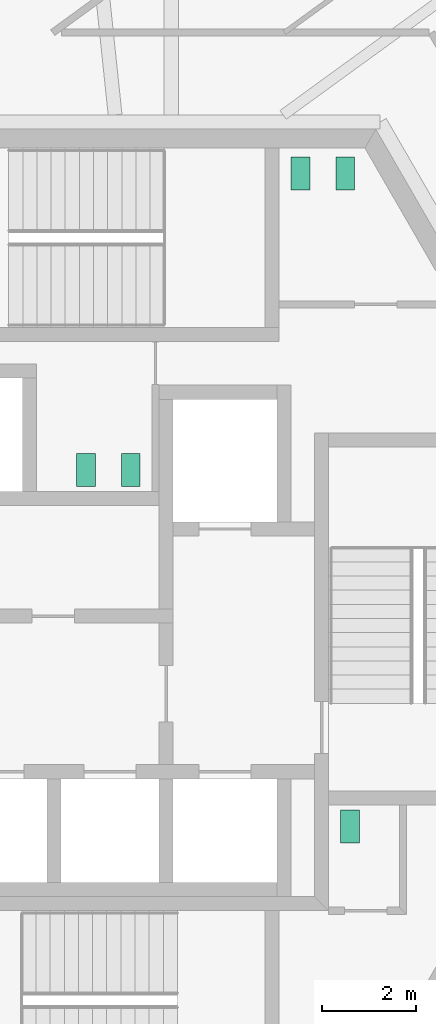
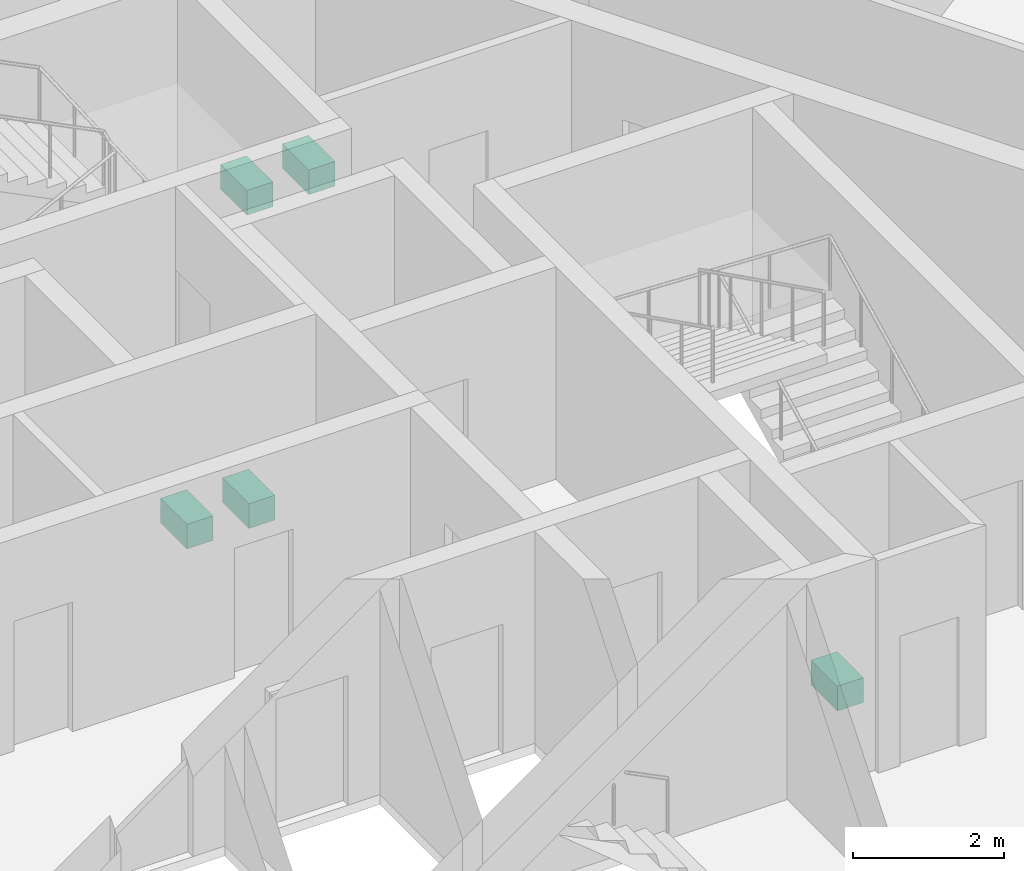
# One storey, part 16 of 18: 5 sanitary terminals.
"""IFC4 building model written with IfcOpenShell, lengths in metres."""

from ifc_helpers import new_model, si_unit, direction, frame, origin, origin_2d, place, context, subcontext, project, spatial, rectangle, extrude, source, transform, mapped, material, element, save


model = new_model("IFC4")

# Units and contexts
model_context = context("Model", 3, precision=1e-05, world=origin(), true_north=direction((0.0, 1.0)))
body_context = subcontext(model_context, "Body", "Model", "MODEL_VIEW")
ifc_project = project(units=[si_unit("LENGTHUNIT", "METRE"), si_unit("AREAUNIT", "SQUARE_METRE"), si_unit("VOLUMEUNIT", "CUBIC_METRE"), si_unit("PLANEANGLEUNIT", "RADIAN"), si_unit("MASSUNIT", "GRAM", prefix="KILO")], contexts=[model_context])

# Site, building, storey
site_placement = place(None, origin())
site = spatial("IfcSite", under=ifc_project, at=site_placement, CompositionType="ELEMENT")
building_placement = place(site_placement, origin())
building = spatial("IfcBuilding", under=site, at=building_placement, Name="Triune Harvest Tower", CompositionType="ELEMENT")
storey_placement = place(building_placement, frame((0.0, 0.0, 230.5)))
storey = spatial("IfcBuildingStorey", under=building, at=storey_placement, Name="L60", CompositionType="ELEMENT", Elevation=230.5)

# Sanitary terminals
ifc_material = material(Name="Vitreous china")
shared_shape = source(origin(), body_context, "Body", "SweptSolid", [
    extrude(rectangle(XDim=0.39990234375, YDim=0.699951171875, at=origin_2d()), origin(), (0.0, 0.0, 1.0), 0.39990234375),
])
for number, where, z_axis, x_axis, name in (
    (1, (4.39990234375, 9.449951171875, 0.0), (0.0, 0.0, 1.0), (1.0, 0.0, 0.0), "Toilet pan L60.c01"),
    (2, (5.35009765625, 9.449951171875, 0.0), (0.0, 0.0, 1.0), (1.0, 0.0, 0.0), "Toilet pan L60.c02"),
    (3, (0.800048828125, 3.159912109375, 0.0), (0.0, 0.0, 1.0), (-1.0, 0.0, 0.0), "Toilet pan L60.c03"),
    (4, (-0.14990234375, 3.159912109375, 0.0), (0.0, 0.0, 1.0), (-1.0, 0.0, 0.0), "Toilet pan L60.c04"),
    (5, (5.449951171875, -4.39990234375, 0.0), (0.0, 0.0, 1.0), (1.0, 0.0, 0.0), "Toilet pan L60.c05"),
):
    element("IfcSanitaryTerminal", number, at=place(storey_placement, frame(where, z_axis=z_axis, x_axis=x_axis)), inside=storey, material=ifc_material, Name=name, PredefinedType="TOILETPAN", context=body_context, shape_type="MappedRepresentation", body=[
        mapped(shared_shape, transform((0.0, 0.0, 0.0), scale=1.0)),
    ])

save(model, "model.ifc")
